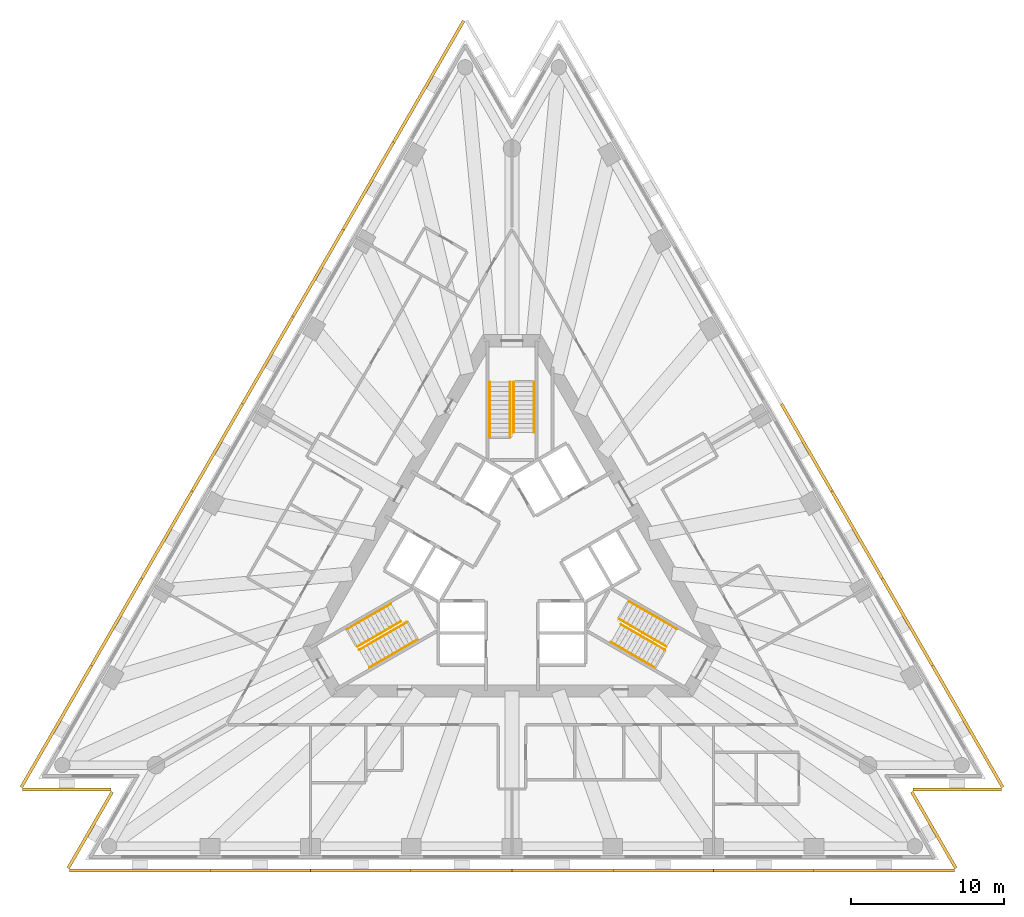
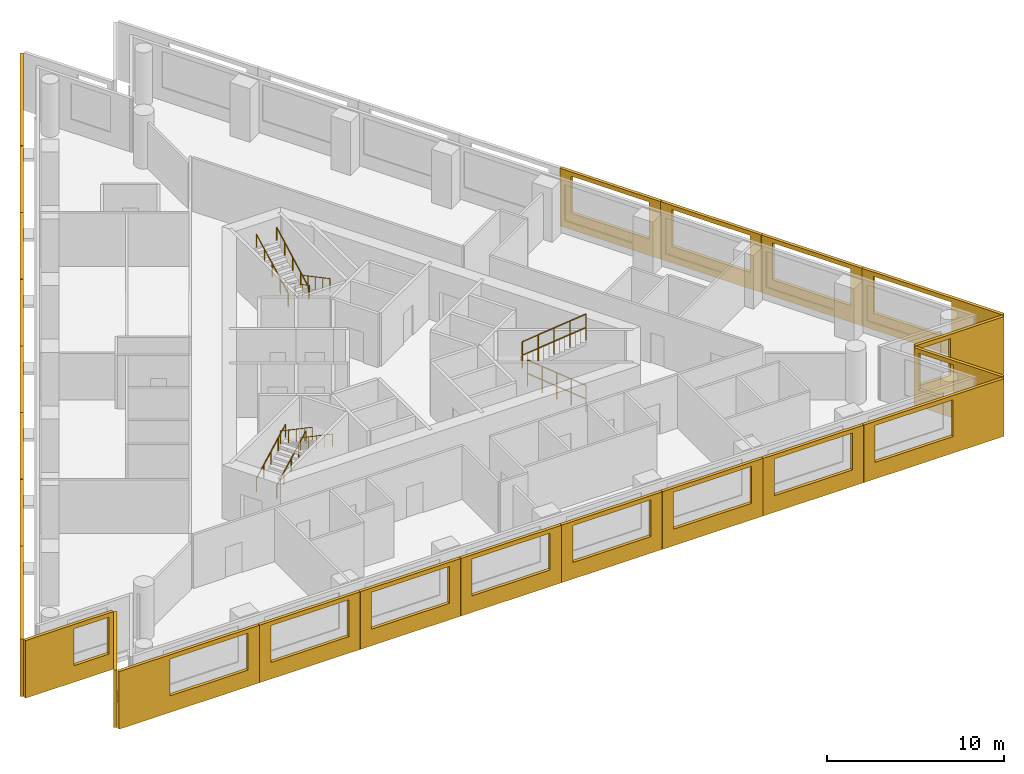
# One storey, part 9 of 10: 24 shading devices, 12 railings, 3 elements without a shape of their own.
"""IFC4 building model written with IfcOpenShell, lengths in metres."""

from ifc_helpers import new_model, si_unit, direction, frame, origin, origin_2d, place, context, subcontext, project, spatial, polyline, circle, outline, extrude, material, layer, layer_set, type_object, element, aggregate, save


model = new_model("IFC4")

# Units and contexts
model_context = context("Model", 3, precision=1e-05, world=origin(), true_north=direction((0.0, 1.0)))
body_context = subcontext(model_context, "Body", "Model", "MODEL_VIEW")
ifc_project = project(units=[si_unit("LENGTHUNIT", "METRE"), si_unit("AREAUNIT", "SQUARE_METRE"), si_unit("VOLUMEUNIT", "CUBIC_METRE"), si_unit("PLANEANGLEUNIT", "RADIAN"), si_unit("MASSUNIT", "GRAM", prefix="KILO")], contexts=[model_context])

# Site, building, storey
site_placement = place(None, origin())
site = spatial("IfcSite", under=ifc_project, at=site_placement, CompositionType="ELEMENT")
building_placement = place(site_placement, origin())
building = spatial("IfcBuilding", under=site, at=building_placement, Name="Triada Interchange Tower", CompositionType="ELEMENT")
storey_placement = place(building_placement, frame((0.0, 0.0, 156.300048828125)))
storey = spatial("IfcBuildingStorey", under=building, at=storey_placement, Name="L36", CompositionType="ELEMENT", Elevation=156.300048828125)

# Shading devices
ifc_material_1 = material(Name="Concrete C50/60 precast", Category="concrete")
ifc_layer_1 = layer(ifc_material_1, 0.02001953125, Name="Exposed aggregate face")
ifc_layer_2 = layer(ifc_material_1, 0.179931640625, Name="Precast concrete screen")
ifc_layer_set = layer_set([ifc_layer_1, ifc_layer_2], Name="Outer skin screen panel 3980")
shading_device_type = type_object("IfcShadingDeviceType", Name="Outer skin screen panel 3980", PredefinedType="SHUTTER", material=ifc_layer_set)
shading_device_1_placement = place(storey_placement, frame((-3.068115234375, 35.178955078125, -0.2900390625), z_axis=(0.0, 0.0, 1.0), x_axis=(-0.499993049377, -0.866029416691, 0.0)))
element("IfcShadingDevice", 1, at=shading_device_1_placement, inside=storey, type_object=shading_device_type, Name="Outer skin screen panel L36 01", PredefinedType="SHUTTER", context=body_context, shape_type="SweptSolid", body=[
    extrude(outline(polyline([(0.0, 0.0), (9.163818359375, 0.0), (9.163818359375, 3.97998046875), (0.0, 3.97998046875), (0.0, 0.0)]), holes=[polyline([(3.33056640625, 1.139892578125), (3.33056640625, 3.68994140625), (8.4306640625, 3.68994140625), (8.4306640625, 1.139892578125), (3.33056640625, 1.139892578125)])]), frame((0.0, 0.0, 0.0), z_axis=(0.0, -1.0, 0.0), x_axis=(1.0, 0.0, 0.0)), (0.0, 0.0, 1.0), 0.199951171875),
])
shading_device_2_placement = place(storey_placement, frame((-7.659912109375, 27.22607421875, -0.2900390625), z_axis=(0.0, 0.0, 1.0), x_axis=(-0.499977771575, -0.866038236991, 0.0)))
element("IfcShadingDevice", 2, at=shading_device_2_placement, inside=storey, type_object=shading_device_type, Name="Outer skin screen panel L36 02", PredefinedType="SHUTTER", context=body_context, shape_type="SweptSolid", body=[
    extrude(outline(polyline([(0.0, 0.0), (6.566650390625, 0.0), (6.566650390625, 3.97998046875), (0.0, 3.97998046875), (0.0, 0.0)]), holes=[polyline([(0.732421875, 1.139892578125), (0.732421875, 3.68994140625), (5.83251953125, 3.68994140625), (5.83251953125, 1.139892578125), (0.732421875, 1.139892578125)])]), frame((0.0, 0.0, 0.0), z_axis=(0.0, -1.0, 0.0), x_axis=(1.0, 0.0, 0.0)), (0.0, 0.0, 1.0), 0.199951171875),
])
shading_device_3_placement = place(storey_placement, frame((-10.952880859375, 21.52197265625, -0.2900390625), z_axis=(0.0, 0.0, 1.0), x_axis=(-0.499977771575, -0.866038236991, 0.0)))
element("IfcShadingDevice", 3, at=shading_device_3_placement, inside=storey, type_object=shading_device_type, Name="Outer skin screen panel L36 03", PredefinedType="SHUTTER", context=body_context, shape_type="SweptSolid", body=[
    extrude(outline(polyline([(0.0, 0.0), (6.566650390625, 0.0), (6.566650390625, 3.97998046875), (0.0, 3.97998046875), (0.0, 0.0)]), holes=[polyline([(0.7333984375, 1.139892578125), (0.7333984375, 3.68994140625), (5.83349609375, 3.68994140625), (5.83349609375, 1.139892578125), (0.7333984375, 1.139892578125)])]), frame((0.0, 0.0, 0.0), z_axis=(0.0, -1.0, 0.0), x_axis=(1.0, 0.0, 0.0)), (0.0, 0.0, 1.0), 0.199951171875),
])
for number, where, z_axis, x_axis, name in (
    (4, (-14.24609375, 15.818115234375, -0.2900390625), (0.0, 0.0, 1.0), (-0.500014285048, -0.866017156151, 0.0), "Outer skin screen panel L36 04"),
    (5, (-17.5390625, 10.114013671875, -0.2900390625), (0.0, 0.0, 1.0), (-0.500014285048, -0.866017156151, 0.0), "Outer skin screen panel L36 05"),
):
    element("IfcShadingDevice", number, at=place(storey_placement, frame(where, z_axis=z_axis, x_axis=x_axis)), inside=storey, type_object=shading_device_type, Name=name, PredefinedType="SHUTTER", context=body_context, shape_type="SweptSolid", body=[
        extrude(outline(polyline([(0.0, 0.0), (6.565673828125, 0.0), (6.565673828125, 3.97998046875), (0.0, 3.97998046875), (0.0, 0.0)]), holes=[polyline([(0.7333984375, 1.139892578125), (0.7333984375, 3.68994140625), (5.83349609375, 3.68994140625), (5.83349609375, 1.139892578125), (0.7333984375, 1.139892578125)])]), frame((0.0, 0.0, 0.0), z_axis=(0.0, -1.0, 0.0), x_axis=(1.0, 0.0, 0.0)), (0.0, 0.0, 1.0), 0.199951171875),
    ])
shading_device_4_placement = place(storey_placement, frame((-20.83203125, 4.410888671875, -0.2900390625), z_axis=(0.0, 0.0, 1.0), x_axis=(-0.499854425527, -0.866109434933, 0.0)))
element("IfcShadingDevice", 6, at=shading_device_4_placement, inside=storey, type_object=shading_device_type, Name="Outer skin screen panel L36 06", PredefinedType="SHUTTER", context=body_context, shape_type="SweptSolid", body=[
    extrude(outline(polyline([(0.0, 0.0), (6.56591796875, 0.0), (6.56591796875, 3.97998046875), (0.0, 3.97998046875), (0.0, 0.0)]), holes=[polyline([(0.7333984375, 1.139892578125), (0.7333984375, 3.68994140625), (5.83349609375, 3.68994140625), (5.83349609375, 1.139892578125), (0.7333984375, 1.139892578125)])]), frame((0.0, 0.0, 0.0), z_axis=(0.0, -1.0, 0.0), x_axis=(1.0, 0.0, 0.0)), (0.0, 0.0, 1.0), 0.199951171875),
])
shading_device_5_placement = place(storey_placement, frame((-24.1240234375, -1.29296875, -0.2900390625), z_axis=(0.0, 0.0, 1.0), x_axis=(-0.499949886023, -0.866054335169, 0.0)))
element("IfcShadingDevice", 7, at=shading_device_5_placement, inside=storey, type_object=shading_device_type, Name="Outer skin screen panel L36 07", PredefinedType="SHUTTER", context=body_context, shape_type="SweptSolid", body=[
    extrude(outline(polyline([(0.0, 0.0), (6.566650390625, 0.0), (6.566650390625, 3.97998046875), (0.0, 3.97998046875), (0.0, 0.0)]), holes=[polyline([(0.7333984375, 1.139892578125), (0.7333984375, 3.68994140625), (5.833251953125, 3.68994140625), (5.833251953125, 1.139892578125), (0.7333984375, 1.139892578125)])]), frame((0.0, 0.0, 0.0), z_axis=(0.0, -1.0, 0.0), x_axis=(1.0, 0.0, 0.0)), (0.0, 0.0, 1.0), 0.199951171875),
])
shading_device_6_placement = place(storey_placement, frame((-27.4169921875, -6.9970703125, -0.2900390625), z_axis=(0.0, 0.0, 1.0), x_axis=(-0.500013030768, -0.866017880336, 0.0)))
element("IfcShadingDevice", 8, at=shading_device_6_placement, inside=storey, type_object=shading_device_type, Name="Outer skin screen panel L36 08", PredefinedType="SHUTTER", context=body_context, shape_type="SweptSolid", body=[
    extrude(outline(polyline([(0.0, 0.0), (9.163818359375, 0.0), (9.163818359375, 3.97998046875), (0.0, 3.97998046875), (0.0, 0.0)]), holes=[polyline([(0.7333984375, 1.139892578125), (0.7333984375, 3.68994140625), (5.833251953125, 3.68994140625), (5.833251953125, 1.139892578125), (0.7333984375, 1.139892578125)])]), frame((0.0, 0.0, 0.0), z_axis=(0.0, -1.0, 0.0), x_axis=(1.0, 0.0, 0.0)), (0.0, 0.0, 1.0), 0.199951171875),
])
shading_device_7_placement = place(storey_placement, frame((-31.993896484375, -14.94189453125, -0.2900390625), z_axis=(0.0, 0.0, 1.0), x_axis=(1.0, 0.0, 0.0)))
element("IfcShadingDevice", 9, at=shading_device_7_placement, inside=storey, type_object=shading_device_type, Name="Outer skin screen panel L36 09", PredefinedType="SHUTTER", context=body_context, shape_type="SweptSolid", body=[
    extrude(outline(polyline([(0.0, 0.0), (5.7578125, 0.0), (5.7578125, 3.97998046875), (0.0, 3.97998046875), (0.0, 0.0)]), holes=[polyline([(3.175048828125, 1.139892578125), (3.175048828125, 3.68994140625), (5.4580078125, 3.68994140625), (5.4580078125, 1.139892578125), (3.175048828125, 1.139892578125)])]), frame((0.0, 0.0, 0.0), z_axis=(0.0, -1.0, 0.0), x_axis=(1.0, 0.0, 0.0)), (0.0, 0.0, 1.0), 0.199951171875),
])
shading_device_8_placement = place(storey_placement, frame((-26.05810546875, -15.2509765625, -0.2900390625), z_axis=(0.0, 0.0, 1.0), x_axis=(-0.500024661345, -0.866011165082, 0.0)))
element("IfcShadingDevice", 10, at=shading_device_8_placement, inside=storey, type_object=shading_device_type, Name="Outer skin screen panel L36 10", PredefinedType="SHUTTER", context=body_context, shape_type="SweptSolid", body=[
    extrude(outline(polyline([(0.0, 0.0), (5.757568359375, 0.0), (5.757568359375, 3.97998046875), (0.0, 3.97998046875), (0.0, 0.0)]), holes=[polyline([(0.300048828125, 1.139892578125), (0.300048828125, 3.68994140625), (2.2578125, 3.68994140625), (2.2578125, 1.139892578125), (0.300048828125, 1.139892578125)])]), frame((0.0, 0.0, 0.0), z_axis=(0.0, -1.0, 0.0), x_axis=(1.0, 0.0, 0.0)), (0.0, 0.0, 1.0), 0.199951171875),
])
shading_device_9_placement = place(storey_placement, frame((-28.931884765625, -20.24609375, -0.2900390625), z_axis=(0.0, 0.0, 1.0), x_axis=(1.0, 0.0, 0.0)))
element("IfcShadingDevice", 11, at=shading_device_9_placement, inside=storey, type_object=shading_device_type, Name="Outer skin screen panel L36 11", PredefinedType="SHUTTER", context=body_context, shape_type="SweptSolid", body=[
    extrude(outline(polyline([(0.0, 0.0), (9.163818359375, 0.0), (9.163818359375, 3.97998046875), (0.0, 3.97998046875), (0.0, 0.0)]), holes=[polyline([(3.3310546875, 1.139892578125), (3.3310546875, 3.68994140625), (8.430908203125, 3.68994140625), (8.430908203125, 1.139892578125), (3.3310546875, 1.139892578125)])]), frame((0.0, 0.0, 0.0), z_axis=(0.0, -1.0, 0.0), x_axis=(1.0, 0.0, 0.0)), (0.0, 0.0, 1.0), 0.199951171875),
])
for number, where, z_axis, x_axis, name in (
    (12, (-19.748046875, -20.24609375, -0.2900390625), (0.0, 0.0, 1.0), (1.0, 0.0, 0.0), "Outer skin screen panel L36 12"),
    (13, (-13.162109375, -20.24609375, -0.2900390625), (0.0, 0.0, 1.0), (1.0, 0.0, 0.0), "Outer skin screen panel L36 13"),
):
    element("IfcShadingDevice", number, at=place(storey_placement, frame(where, z_axis=z_axis, x_axis=x_axis)), inside=storey, type_object=shading_device_type, Name=name, PredefinedType="SHUTTER", context=body_context, shape_type="SweptSolid", body=[
        extrude(outline(polyline([(0.0, 0.0), (6.566162109375, 0.0), (6.566162109375, 3.97998046875), (0.0, 3.97998046875), (0.0, 0.0)]), holes=[polyline([(0.73291015625, 1.139892578125), (0.73291015625, 3.68994140625), (5.8330078125, 3.68994140625), (5.8330078125, 1.139892578125), (0.73291015625, 1.139892578125)])]), frame((0.0, 0.0, 0.0), z_axis=(0.0, -1.0, 0.0), x_axis=(1.0, 0.0, 0.0)), (0.0, 0.0, 1.0), 0.199951171875),
    ])
for number, where, z_axis, x_axis, name in (
    (14, (-6.575927734375, -20.24609375, -0.2900390625), (0.0, 0.0, 1.0), (1.0, 0.0, 0.0), "Outer skin screen panel L36 14"),
    (15, (0.010009765625, -20.24609375, -0.2900390625), (0.0, 0.0, 1.0), (1.0, 0.0, 0.0), "Outer skin screen panel L36 15"),
):
    element("IfcShadingDevice", number, at=place(storey_placement, frame(where, z_axis=z_axis, x_axis=x_axis)), inside=storey, type_object=shading_device_type, Name=name, PredefinedType="SHUTTER", context=body_context, shape_type="SweptSolid", body=[
        extrude(outline(polyline([(0.0, 0.0), (6.56591796875, 0.0), (6.56591796875, 3.97998046875), (0.0, 3.97998046875), (0.0, 0.0)]), holes=[polyline([(0.73291015625, 1.139892578125), (0.73291015625, 3.68994140625), (5.8330078125, 3.68994140625), (5.8330078125, 1.139892578125), (0.73291015625, 1.139892578125)])]), frame((0.0, 0.0, 0.0), z_axis=(0.0, -1.0, 0.0), x_axis=(1.0, 0.0, 0.0)), (0.0, 0.0, 1.0), 0.199951171875),
    ])
for number, where, z_axis, x_axis, name in (
    (16, (6.595947265625, -20.24609375, -0.2900390625), (0.0, 0.0, 1.0), (1.0, 0.0, 0.0), "Outer skin screen panel L36 16"),
    (17, (13.181884765625, -20.24609375, -0.2900390625), (0.0, 0.0, 1.0), (1.0, 0.0, 0.0), "Outer skin screen panel L36 17"),
):
    element("IfcShadingDevice", number, at=place(storey_placement, frame(where, z_axis=z_axis, x_axis=x_axis)), inside=storey, type_object=shading_device_type, Name=name, PredefinedType="SHUTTER", context=body_context, shape_type="SweptSolid", body=[
        extrude(outline(polyline([(0.0, 0.0), (6.566162109375, 0.0), (6.566162109375, 3.97998046875), (0.0, 3.97998046875), (0.0, 0.0)]), holes=[polyline([(0.73291015625, 1.139892578125), (0.73291015625, 3.68994140625), (5.8330078125, 3.68994140625), (5.8330078125, 1.139892578125), (0.73291015625, 1.139892578125)])]), frame((0.0, 0.0, 0.0), z_axis=(0.0, -1.0, 0.0), x_axis=(1.0, 0.0, 0.0)), (0.0, 0.0, 1.0), 0.199951171875),
    ])
shading_device_10_placement = place(storey_placement, frame((19.76806640625, -20.24609375, -0.2900390625), z_axis=(0.0, 0.0, 1.0), x_axis=(1.0, 0.0, 0.0)))
element("IfcShadingDevice", 18, at=shading_device_10_placement, inside=storey, type_object=shading_device_type, Name="Outer skin screen panel L36 18", PredefinedType="SHUTTER", context=body_context, shape_type="SweptSolid", body=[
    extrude(outline(polyline([(0.0, 0.0), (9.163818359375, 0.0), (9.163818359375, 3.97998046875), (0.0, 3.97998046875), (0.0, 0.0)]), holes=[polyline([(0.73291015625, 1.139892578125), (0.73291015625, 3.68994140625), (5.8330078125, 3.68994140625), (5.8330078125, 1.139892578125), (0.73291015625, 1.139892578125)])]), frame((0.0, 0.0, 0.0), z_axis=(0.0, -1.0, 0.0), x_axis=(1.0, 0.0, 0.0)), (0.0, 0.0, 1.0), 0.199951171875),
])
shading_device_11_placement = place(storey_placement, frame((28.93701171875, -20.237060546875, -0.2900390625), z_axis=(0.0, 0.0, 1.0), x_axis=(-0.500024661345, 0.866011165082, 0.0)))
element("IfcShadingDevice", 19, at=shading_device_11_placement, inside=storey, type_object=shading_device_type, Name="Outer skin screen panel L36 19", PredefinedType="SHUTTER", context=body_context, shape_type="SweptSolid", body=[
    extrude(outline(polyline([(0.0, 0.0), (5.757568359375, 0.0), (5.757568359375, 3.97998046875), (0.0, 3.97998046875), (0.0, 0.0)]), holes=[polyline([(3.17529296875, 1.139892578125), (3.17529296875, 3.68994140625), (5.458251953125, 3.68994140625), (5.458251953125, 1.139892578125), (3.17529296875, 1.139892578125)])]), frame((0.0, 0.0, 0.0), z_axis=(0.0, -1.0, 0.0), x_axis=(1.0, 0.0, 0.0)), (0.0, 0.0, 1.0), 0.199951171875),
])
shading_device_12_placement = place(storey_placement, frame((26.236083984375, -14.94189453125, -0.2900390625), z_axis=(0.0, 0.0, 1.0), x_axis=(1.0, 0.0, 0.0)))
element("IfcShadingDevice", 20, at=shading_device_12_placement, inside=storey, type_object=shading_device_type, Name="Outer skin screen panel L36 20", PredefinedType="SHUTTER", context=body_context, shape_type="SweptSolid", body=[
    extrude(outline(polyline([(0.0, 0.0), (5.7578125, 0.0), (5.7578125, 3.97998046875), (0.0, 3.97998046875), (0.0, 0.0)]), holes=[polyline([(0.300048828125, 1.139892578125), (0.300048828125, 3.68994140625), (2.258056640625, 3.68994140625), (2.258056640625, 1.139892578125), (0.300048828125, 1.139892578125)])]), frame((0.0, 0.0, 0.0), z_axis=(0.0, -1.0, 0.0), x_axis=(1.0, 0.0, 0.0)), (0.0, 0.0, 1.0), 0.199951171875),
])
shading_device_13_placement = place(storey_placement, frame((31.9990234375, -14.93310546875, -0.2900390625), z_axis=(0.0, 0.0, 1.0), x_axis=(-0.500013030768, 0.866017880336, 0.0)))
element("IfcShadingDevice", 21, at=shading_device_13_placement, inside=storey, type_object=shading_device_type, Name="Outer skin screen panel L36 21", PredefinedType="SHUTTER", context=body_context, shape_type="SweptSolid", body=[
    extrude(outline(polyline([(0.0, 0.0), (9.163818359375, 0.0), (9.163818359375, 3.97998046875), (0.0, 3.97998046875), (0.0, 0.0)]), holes=[polyline([(3.331298828125, 1.139892578125), (3.331298828125, 3.68994140625), (8.431396484375, 3.68994140625), (8.431396484375, 1.139892578125), (3.331298828125, 1.139892578125)])]), frame((0.0, 0.0, 0.0), z_axis=(0.0, -1.0, 0.0), x_axis=(1.0, 0.0, 0.0)), (0.0, 0.0, 1.0), 0.199951171875),
])
shading_device_14_placement = place(storey_placement, frame((27.406982421875, -6.97998046875, -0.2900390625), z_axis=(0.0, 0.0, 1.0), x_axis=(-0.499949886023, 0.866054335169, 0.0)))
element("IfcShadingDevice", 22, at=shading_device_14_placement, inside=storey, type_object=shading_device_type, Name="Outer skin screen panel L36 22", PredefinedType="SHUTTER", context=body_context, shape_type="SweptSolid", body=[
    extrude(outline(polyline([(0.0, 0.0), (6.566650390625, 0.0), (6.566650390625, 3.97998046875), (0.0, 3.97998046875), (0.0, 0.0)]), holes=[polyline([(0.733154296875, 1.139892578125), (0.733154296875, 3.68994140625), (5.833251953125, 3.68994140625), (5.833251953125, 1.139892578125), (0.733154296875, 1.139892578125)])]), frame((0.0, 0.0, 0.0), z_axis=(0.0, -1.0, 0.0), x_axis=(1.0, 0.0, 0.0)), (0.0, 0.0, 1.0), 0.199951171875),
])
shading_device_15_placement = place(storey_placement, frame((24.114013671875, -1.27587890625, -0.2900390625), z_axis=(0.0, 0.0, 1.0), x_axis=(-0.499854425527, 0.866109434933, 0.0)))
element("IfcShadingDevice", 23, at=shading_device_15_placement, inside=storey, type_object=shading_device_type, Name="Outer skin screen panel L36 23", PredefinedType="SHUTTER", context=body_context, shape_type="SweptSolid", body=[
    extrude(outline(polyline([(0.0, 0.0), (6.56591796875, 0.0), (6.56591796875, 3.97998046875), (0.0, 3.97998046875), (0.0, 0.0)]), holes=[polyline([(0.733154296875, 1.139892578125), (0.733154296875, 3.68994140625), (5.833251953125, 3.68994140625), (5.833251953125, 1.139892578125), (0.733154296875, 1.139892578125)])]), frame((0.0, 0.0, 0.0), z_axis=(0.0, -1.0, 0.0), x_axis=(1.0, 0.0, 0.0)), (0.0, 0.0, 1.0), 0.199951171875),
])
shading_device_16_placement = place(storey_placement, frame((20.822021484375, 4.427978515625, -0.2900390625), z_axis=(0.0, 0.0, 1.0), x_axis=(-0.500014285048, 0.866017156151, 0.0)))
element("IfcShadingDevice", 24, at=shading_device_16_placement, inside=storey, type_object=shading_device_type, Name="Outer skin screen panel L36 24", PredefinedType="SHUTTER", context=body_context, shape_type="SweptSolid", body=[
    extrude(outline(polyline([(0.0, 0.0), (6.565673828125, 0.0), (6.565673828125, 3.97998046875), (0.0, 3.97998046875), (0.0, 0.0)]), holes=[polyline([(0.733154296875, 1.139892578125), (0.733154296875, 3.68994140625), (5.833251953125, 3.68994140625), (5.833251953125, 1.139892578125), (0.733154296875, 1.139892578125)])]), frame((0.0, 0.0, 0.0), z_axis=(0.0, -1.0, 0.0), x_axis=(1.0, 0.0, 0.0)), (0.0, 0.0, 1.0), 0.199951171875),
])

# Stair, railings
ifc_material_2 = material(Name="Concrete C35/45", Category="concrete")
stair_type = type_object("IfcStairType", Name="HALF TURN STAIR 1400", PredefinedType="HALF_TURN_STAIR", material=ifc_material_2)
stair_1_placement = place(storey_placement, origin())
stair_1 = element("IfcStair", 25, at=stair_1_placement, inside=storey, type_object=stair_type, Name="Exit stair S35-1", PredefinedType="HALF_TURN_STAIR")
ifc_material_3 = material(Name="Stainless steel 1.4301", Category="steel")
railing_type = type_object("IfcRailingType", Name="STAIR HANDRAIL 900", PredefinedType="HANDRAIL", material=ifc_material_3)
railing_1_placement = place(storey_placement, frame((1.449951171875, 11.60009765625, 0.159912109375)))
railing_1 = element("IfcRailing", 26, at=railing_1_placement, type_object=railing_type, Name="Handrail S35-1 1W", PredefinedType="HANDRAIL", context=body_context, shape_type="SweptSolid", body=[
    extrude(circle(Radius=0.02392578125, at=origin_2d()), frame((0.0, 0.0, 0.8759765625), z_axis=(0.0, -0.882354748157, 0.47058484719), x_axis=(1.0, 0.0, 0.0)), (0.0, 0.0, 1.0), 3.739990234375),
    extrude(circle(Radius=0.02099609375, at=origin_2d()), origin(), (0.0, 0.0, 1.0), 0.851806640625),
    extrude(circle(Radius=0.02099609375, at=origin_2d()), frame((0.0, -0.824951171875, 0.43994140625)), (0.0, 0.0, 1.0), 0.851806640625),
    extrude(circle(Radius=0.02099609375, at=origin_2d()), frame((0.0, -1.64990234375, 0.8798828125)), (0.0, 0.0, 1.0), 0.851806640625),
    extrude(circle(Radius=0.02099609375, at=origin_2d()), frame((0.0, -2.47509765625, 1.320068359375)), (0.0, 0.0, 1.0), 0.851806640625),
    extrude(circle(Radius=0.02099609375, at=origin_2d()), frame((0.0, -3.300048828125, 1.760009765625)), (0.0, 0.0, 1.0), 0.851806640625),
])
railing_2_placement = place(storey_placement, frame((0.1201171875, 11.60009765625, 0.159912109375)))
railing_2 = element("IfcRailing", 27, at=railing_2_placement, type_object=railing_type, Name="Handrail S35-1 1C", PredefinedType="HANDRAIL", context=body_context, shape_type="SweptSolid", body=[
    extrude(circle(Radius=0.02392578125, at=origin_2d()), frame((0.0, 0.0, 0.8759765625), z_axis=(0.0, -0.882354748157, 0.47058484719), x_axis=(1.0, 0.0, 0.0)), (0.0, 0.0, 1.0), 3.739990234375),
    extrude(circle(Radius=0.02099609375, at=origin_2d()), origin(), (0.0, 0.0, 1.0), 0.851806640625),
    extrude(circle(Radius=0.02099609375, at=origin_2d()), frame((0.0, -0.824951171875, 0.43994140625)), (0.0, 0.0, 1.0), 0.851806640625),
    extrude(circle(Radius=0.02099609375, at=origin_2d()), frame((0.0, -1.64990234375, 0.8798828125)), (0.0, 0.0, 1.0), 0.851806640625),
    extrude(circle(Radius=0.02099609375, at=origin_2d()), frame((0.0, -2.47509765625, 1.320068359375)), (0.0, 0.0, 1.0), 0.851806640625),
    extrude(circle(Radius=0.02099609375, at=origin_2d()), frame((0.0, -3.300048828125, 1.760009765625)), (0.0, 0.0, 1.0), 0.851806640625),
])
railing_3_placement = place(storey_placement, frame((-1.449951171875, 8.0, 2.079833984375)))
railing_3 = element("IfcRailing", 28, at=railing_3_placement, type_object=railing_type, Name="Handrail S35-1 2W", PredefinedType="HANDRAIL", context=body_context, shape_type="SweptSolid", body=[
    extrude(circle(Radius=0.02392578125, at=origin_2d()), frame((0.0, 0.0, 0.8759765625), z_axis=(0.0, 0.882341346394, 0.470609974867), x_axis=(-1.0, 0.0, 0.0)), (0.0, 0.0, 1.0), 4.080078125),
    extrude(circle(Radius=0.02099609375, at=origin_2d()), origin(), (0.0, 0.0, 1.0), 0.851806640625),
    extrude(circle(Radius=0.02099609375, at=origin_2d()), frame((0.0, 0.89990234375, 0.47998046875)), (0.0, 0.0, 1.0), 0.851806640625),
    extrude(circle(Radius=0.02099609375, at=origin_2d()), frame((0.0, 1.800048828125, 0.9599609375)), (0.0, 0.0, 1.0), 0.851806640625),
    extrude(circle(Radius=0.02099609375, at=origin_2d()), frame((0.0, 2.7001953125, 1.440185546875)), (0.0, 0.0, 1.0), 0.851806640625),
    extrude(circle(Radius=0.02099609375, at=origin_2d()), frame((0.0, 3.60009765625, 1.920166015625)), (0.0, 0.0, 1.0), 0.851806640625),
])
railing_4_placement = place(storey_placement, frame((-0.1201171875, 8.0, 2.079833984375)))
railing_4 = element("IfcRailing", 29, at=railing_4_placement, type_object=railing_type, Name="Handrail S35-1 2C", PredefinedType="HANDRAIL", context=body_context, shape_type="SweptSolid", body=[
    extrude(circle(Radius=0.02392578125, at=origin_2d()), frame((0.0, 0.0, 0.8759765625), z_axis=(0.0, 0.882341346394, 0.470609974867), x_axis=(-1.0, 0.0, 0.0)), (0.0, 0.0, 1.0), 4.080078125),
    extrude(circle(Radius=0.02099609375, at=origin_2d()), origin(), (0.0, 0.0, 1.0), 0.851806640625),
    extrude(circle(Radius=0.02099609375, at=origin_2d()), frame((0.0, 0.89990234375, 0.47998046875)), (0.0, 0.0, 1.0), 0.851806640625),
    extrude(circle(Radius=0.02099609375, at=origin_2d()), frame((0.0, 1.800048828125, 0.9599609375)), (0.0, 0.0, 1.0), 0.851806640625),
    extrude(circle(Radius=0.02099609375, at=origin_2d()), frame((0.0, 2.7001953125, 1.440185546875)), (0.0, 0.0, 1.0), 0.851806640625),
    extrude(circle(Radius=0.02099609375, at=origin_2d()), frame((0.0, 3.60009765625, 1.920166015625)), (0.0, 0.0, 1.0), 0.851806640625),
])
aggregate(stair_1, [railing_1, railing_2, railing_3, railing_4])

stair_2_placement = place(storey_placement, origin())
stair_2 = element("IfcStair", 30, at=stair_2_placement, inside=storey, type_object=stair_type, Name="Exit stair S35-2", PredefinedType="HALF_TURN_STAIR")
railing_5_placement = place(storey_placement, frame((-10.77099609375, -4.5439453125, 0.159912109375)))
railing_5 = element("IfcRailing", 31, at=railing_5_placement, type_object=railing_type, Name="Handrail S35-2 1W", PredefinedType="HANDRAIL", context=body_context, shape_type="SweptSolid", body=[
    extrude(circle(Radius=0.02392578125, at=origin_2d()), frame((0.0, 0.0, 0.8759765625), z_axis=(0.764150854273, 0.441152526326, 0.470593158077), x_axis=(-0.499974350878, 0.866040211805, 0.0)), (0.0, 0.0, 1.0), 3.739990234375),
    extrude(circle(Radius=0.02099609375, at=origin_2d()), origin(), (0.0, 0.0, 1.0), 0.851806640625),
    extrude(circle(Radius=0.02099609375, at=origin_2d()), frame((0.71435546875, 0.41259765625, 0.43994140625)), (0.0, 0.0, 1.0), 0.851806640625),
    extrude(circle(Radius=0.02099609375, at=origin_2d()), frame((1.428955078125, 0.824951171875, 0.8798828125)), (0.0, 0.0, 1.0), 0.851806640625),
    extrude(circle(Radius=0.02099609375, at=origin_2d()), frame((2.1435546875, 1.2373046875, 1.320068359375)), (0.0, 0.0, 1.0), 0.851806640625),
    extrude(circle(Radius=0.02099609375, at=origin_2d()), frame((2.85791015625, 1.64990234375, 1.760009765625)), (0.0, 0.0, 1.0), 0.851806640625),
])
railing_6_placement = place(storey_placement, frame((-10.10595703125, -5.696044921875, 0.159912109375)))
railing_6 = element("IfcRailing", 32, at=railing_6_placement, type_object=railing_type, Name="Handrail S35-2 1C", PredefinedType="HANDRAIL", context=body_context, shape_type="SweptSolid", body=[
    extrude(circle(Radius=0.02392578125, at=origin_2d()), frame((0.0, 0.0, 0.8759765625), z_axis=(0.76412884773, 0.441205098395, 0.470579605611), x_axis=(-0.50002983664, 0.866008176907, 0.0)), (0.0, 0.0, 1.0), 3.739990234375),
    extrude(circle(Radius=0.02099609375, at=origin_2d()), origin(), (0.0, 0.0, 1.0), 0.851806640625),
    extrude(circle(Radius=0.02099609375, at=origin_2d()), frame((0.71435546875, 0.41259765625, 0.43994140625)), (0.0, 0.0, 1.0), 0.851806640625),
    extrude(circle(Radius=0.02099609375, at=origin_2d()), frame((1.428955078125, 0.8251953125, 0.8798828125)), (0.0, 0.0, 1.0), 0.851806640625),
    extrude(circle(Radius=0.02099609375, at=origin_2d()), frame((2.1435546875, 1.237548828125, 1.320068359375)), (0.0, 0.0, 1.0), 0.851806640625),
    extrude(circle(Radius=0.02099609375, at=origin_2d()), frame((2.85791015625, 1.650146484375, 1.760009765625)), (0.0, 0.0, 1.0), 0.851806640625),
])
railing_7_placement = place(storey_placement, frame((-6.202880859375, -5.256103515625, 2.079833984375)))
railing_7 = element("IfcRailing", 33, at=railing_7_placement, type_object=railing_type, Name="Handrail S35-2 2W", PredefinedType="HANDRAIL", context=body_context, shape_type="SweptSolid", body=[
    extrude(circle(Radius=0.02392578125, at=origin_2d()), frame((0.0, 0.0, 0.8759765625), z_axis=(-0.764189758314, -0.441090424232, 0.470588196769), x_axis=(0.499902469156, -0.866081705922, 0.0)), (0.0, 0.0, 1.0), 4.080322265625),
    extrude(circle(Radius=0.02099609375, at=origin_2d()), origin(), (0.0, 0.0, 1.0), 0.851806640625),
    extrude(circle(Radius=0.02099609375, at=origin_2d()), frame((-0.779541015625, -0.449951171875, 0.47998046875)), (0.0, 0.0, 1.0), 0.851806640625),
    extrude(circle(Radius=0.02099609375, at=origin_2d()), frame((-1.55908203125, -0.89990234375, 0.9599609375)), (0.0, 0.0, 1.0), 0.851806640625),
    extrude(circle(Radius=0.02099609375, at=origin_2d()), frame((-2.338623046875, -1.349853515625, 1.440185546875)), (0.0, 0.0, 1.0), 0.851806640625),
    extrude(circle(Radius=0.02099609375, at=origin_2d()), frame((-3.1181640625, -1.7998046875, 1.920166015625)), (0.0, 0.0, 1.0), 0.851806640625),
])
railing_8_placement = place(storey_placement, frame((-6.867919921875, -4.10400390625, 2.079833984375)))
railing_8 = element("IfcRailing", 34, at=railing_8_placement, type_object=railing_type, Name="Handrail S35-2 2C", PredefinedType="HANDRAIL", context=body_context, shape_type="SweptSolid", body=[
    extrude(circle(Radius=0.02392578125, at=origin_2d()), frame((0.0, 0.0, 0.8759765625), z_axis=(-0.764169589359, -0.441138614339, 0.470575776723), x_axis=(0.49995333141, -0.866052346231, 0.0)), (0.0, 0.0, 1.0), 4.08056640625),
    extrude(circle(Radius=0.02099609375, at=origin_2d()), origin(), (0.0, 0.0, 1.0), 0.851806640625),
    extrude(circle(Radius=0.02099609375, at=origin_2d()), frame((-0.779541015625, -0.449951171875, 0.47998046875)), (0.0, 0.0, 1.0), 0.851806640625),
    extrude(circle(Radius=0.02099609375, at=origin_2d()), frame((-1.55908203125, -0.89990234375, 0.9599609375)), (0.0, 0.0, 1.0), 0.851806640625),
    extrude(circle(Radius=0.02099609375, at=origin_2d()), frame((-2.338623046875, -1.35009765625, 1.440185546875)), (0.0, 0.0, 1.0), 0.851806640625),
    extrude(circle(Radius=0.02099609375, at=origin_2d()), frame((-3.1181640625, -1.800048828125, 1.920166015625)), (0.0, 0.0, 1.0), 0.851806640625),
])
aggregate(stair_2, [railing_5, railing_6, railing_7, railing_8])

stair_3_placement = place(storey_placement, origin())
stair_3 = element("IfcStair", 35, at=stair_3_placement, inside=storey, type_object=stair_type, Name="Exit stair S35-3", PredefinedType="HALF_TURN_STAIR")
railing_9_placement = place(storey_placement, frame((9.321044921875, -7.055908203125, 0.159912109375)))
railing_9 = element("IfcRailing", 36, at=railing_9_placement, type_object=railing_type, Name="Handrail S35-3 1W", PredefinedType="HANDRAIL", context=body_context, shape_type="SweptSolid", body=[
    extrude(circle(Radius=0.02392578125, at=origin_2d()), frame((0.0, 0.0, 0.8759765625), z_axis=(-0.764178012919, 0.441130521168, 0.470569684388), x_axis=(-0.499942318283, -0.866058703778, 0.0)), (0.0, 0.0, 1.0), 3.740234375),
    extrude(circle(Radius=0.02099609375, at=origin_2d()), origin(), (0.0, 0.0, 1.0), 0.851806640625),
    extrude(circle(Radius=0.02099609375, at=origin_2d()), frame((-0.714599609375, 0.41259765625, 0.43994140625)), (0.0, 0.0, 1.0), 0.851806640625),
    extrude(circle(Radius=0.02099609375, at=origin_2d()), frame((-1.42919921875, 0.824951171875, 0.8798828125)), (0.0, 0.0, 1.0), 0.851806640625),
    extrude(circle(Radius=0.02099609375, at=origin_2d()), frame((-2.1435546875, 1.2373046875, 1.320068359375)), (0.0, 0.0, 1.0), 0.851806640625),
    extrude(circle(Radius=0.02099609375, at=origin_2d()), frame((-2.858154296875, 1.64990234375, 1.760009765625)), (0.0, 0.0, 1.0), 0.851806640625),
])
railing_10_placement = place(storey_placement, frame((9.986083984375, -5.904052734375, 0.159912109375)))
railing_10 = element("IfcRailing", 37, at=railing_10_placement, type_object=railing_type, Name="Handrail S35-3 1C", PredefinedType="HANDRAIL", context=body_context, shape_type="SweptSolid", body=[
    extrude(circle(Radius=0.02392578125, at=origin_2d()), frame((0.0, 0.0, 0.8759765625), z_axis=(-0.764156007789, 0.441183091881, 0.47055613395), x_axis=(-0.49999780286, -0.8660266723, 0.0)), (0.0, 0.0, 1.0), 3.740234375),
    extrude(circle(Radius=0.02099609375, at=origin_2d()), origin(), (0.0, 0.0, 1.0), 0.851806640625),
    extrude(circle(Radius=0.02099609375, at=origin_2d()), frame((-0.714599609375, 0.41259765625, 0.43994140625)), (0.0, 0.0, 1.0), 0.851806640625),
    extrude(circle(Radius=0.02099609375, at=origin_2d()), frame((-1.42919921875, 0.8251953125, 0.8798828125)), (0.0, 0.0, 1.0), 0.851806640625),
    extrude(circle(Radius=0.02099609375, at=origin_2d()), frame((-2.1435546875, 1.237548828125, 1.320068359375)), (0.0, 0.0, 1.0), 0.851806640625),
    extrude(circle(Radius=0.02099609375, at=origin_2d()), frame((-2.858154296875, 1.650146484375, 1.760009765625)), (0.0, 0.0, 1.0), 0.851806640625),
])
railing_11_placement = place(storey_placement, frame((7.653076171875, -2.743896484375, 2.079833984375)))
railing_11 = element("IfcRailing", 38, at=railing_11_placement, type_object=railing_type, Name="Handrail S35-3 2W", PredefinedType="HANDRAIL", context=body_context, shape_type="SweptSolid", body=[
    extrude(circle(Radius=0.02392578125, at=origin_2d()), frame((0.0, 0.0, 0.8759765625), z_axis=(0.76414469501, -0.441158784458, 0.470597292793), x_axis=(0.499982693035, 0.866035395735, 0.0)), (0.0, 0.0, 1.0), 4.080322265625),
    extrude(circle(Radius=0.02099609375, at=origin_2d()), origin(), (0.0, 0.0, 1.0), 0.851806640625),
    extrude(circle(Radius=0.02099609375, at=origin_2d()), frame((0.779541015625, -0.449951171875, 0.47998046875)), (0.0, 0.0, 1.0), 0.851806640625),
    extrude(circle(Radius=0.02099609375, at=origin_2d()), frame((1.55908203125, -0.89990234375, 0.9599609375)), (0.0, 0.0, 1.0), 0.851806640625),
    extrude(circle(Radius=0.02099609375, at=origin_2d()), frame((2.33837890625, -1.35009765625, 1.440185546875)), (0.0, 0.0, 1.0), 0.851806640625),
    extrude(circle(Radius=0.02099609375, at=origin_2d()), frame((3.117919921875, -1.800048828125, 1.920166015625)), (0.0, 0.0, 1.0), 0.851806640625),
])
railing_12_placement = place(storey_placement, frame((6.988037109375, -3.89599609375, 2.079833984375)))
railing_12 = element("IfcRailing", 39, at=railing_12_placement, type_object=railing_type, Name="Handrail S35-3 2C", PredefinedType="HANDRAIL", context=body_context, shape_type="SweptSolid", body=[
    extrude(circle(Radius=0.02392578125, at=origin_2d()), frame((0.0, 0.0, 0.8759765625), z_axis=(0.76414469501, -0.441158784458, 0.470597292793), x_axis=(0.499982693035, 0.866035395735, 0.0)), (0.0, 0.0, 1.0), 4.080322265625),
    extrude(circle(Radius=0.02099609375, at=origin_2d()), origin(), (0.0, 0.0, 1.0), 0.851806640625),
    extrude(circle(Radius=0.02099609375, at=origin_2d()), frame((0.779541015625, -0.449951171875, 0.47998046875)), (0.0, 0.0, 1.0), 0.851806640625),
    extrude(circle(Radius=0.02099609375, at=origin_2d()), frame((1.55908203125, -0.89990234375, 0.9599609375)), (0.0, 0.0, 1.0), 0.851806640625),
    extrude(circle(Radius=0.02099609375, at=origin_2d()), frame((2.33837890625, -1.35009765625, 1.440185546875)), (0.0, 0.0, 1.0), 0.851806640625),
    extrude(circle(Radius=0.02099609375, at=origin_2d()), frame((3.117919921875, -1.800048828125, 1.920166015625)), (0.0, 0.0, 1.0), 0.851806640625),
])
aggregate(stair_3, [railing_9, railing_10, railing_11, railing_12])

save(model, "model.ifc")
